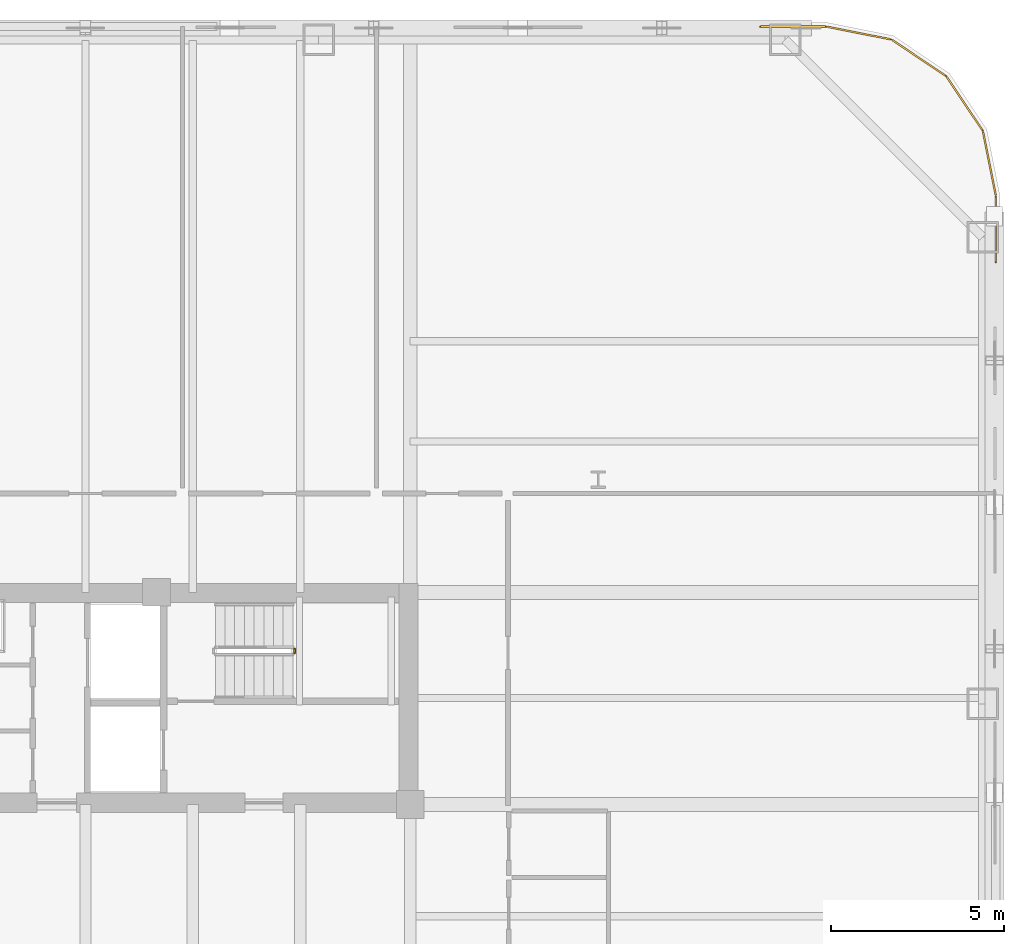
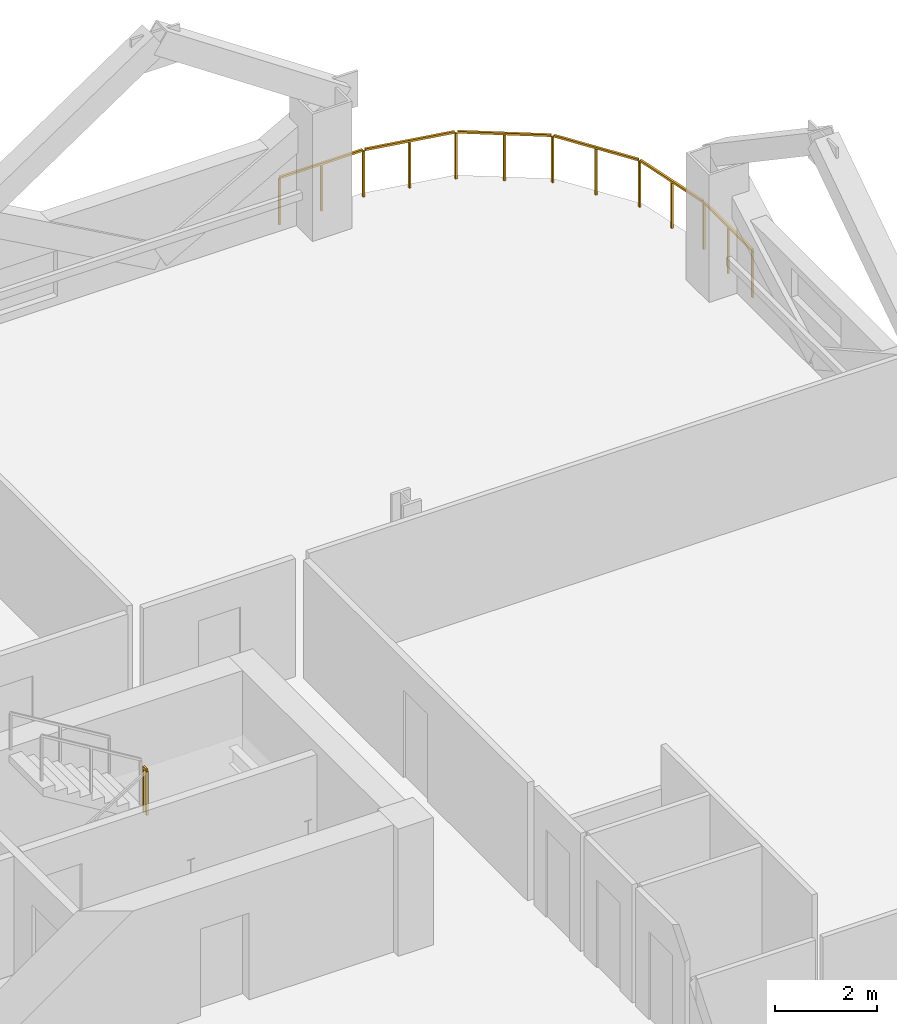
# One storey, part 14 of 14: 2 railings.
"""IFC4 building model written with IfcOpenShell, lengths in metres."""

import ifcopenshell
import ifcopenshell.guid

model = None  # the IFC model being written
_history = None  # IfcOwnerHistory: only IFC2X3 demands one
_inside = {}  # id of a spatial element -> (the spatial element, [elements in it])
_under = {}  # id of a project, library or spatial element -> (it, [spatial elements below it])
_declared = {}  # id of a project -> (the project, [libraries it declares])
_typed = {}  # id of a type object -> (the type object, [elements of that type])
_made_of = {}  # id of a material, layer set ... -> (it, [elements and type objects made of it])


def new_model(schema):
    """Start an empty IFC model of exactly this schema.

    Asked for "IFC4X3", IfcOpenShell would pick the latest addendum, in which some entities
    have other attributes; the version numbers below select the first issue.
    IFC2X3 requires an IfcOwnerHistory on every rooted entity: one is made here for all.
    """
    global model, _history
    if schema == "IFC4X3":
        model = ifcopenshell.file(schema_version=(4, 3, 0, 0))
    else:
        model = ifcopenshell.file(schema=schema)
    _inside.clear()
    _under.clear()
    _declared.clear()
    _typed.clear()
    _made_of.clear()
    _history = None
    if model.schema == "IFC2X3":
        org = make("IfcOrganization", Name="unknown")
        user = make(
            "IfcPersonAndOrganization",
            ThePerson=make("IfcPerson", FamilyName="unknown"),
            TheOrganization=org,
        )
        app = make(
            "IfcApplication",
            ApplicationDeveloper=org,
            Version="unknown",
            ApplicationFullName="unknown",
            ApplicationIdentifier="unknown",
        )
        _history = make(
            "IfcOwnerHistory",
            OwningUser=user,
            OwningApplication=app,
            ChangeAction="ADDED",
            CreationDate=0,
        )
    return model


def make(cls, **values):
    """One entity of the class cls with the attributes given. An attribute that is None is left unset."""
    return model.create_entity(
        cls, **{name: value for name, value in values.items() if value is not None}
    )


def rooted(cls, **values):
    """An entity with a GlobalId (a new one), such as an element, a storey or a relation."""
    return make(cls, GlobalId=ifcopenshell.guid.new(), OwnerHistory=_history, **values)


def si_unit(unit_type, name, prefix=None):
    """IfcSIUnit, for example si_unit("LENGTHUNIT", "METRE", prefix="MILLI")."""
    return make("IfcSIUnit", UnitType=unit_type, Prefix=prefix, Name=name)


def assignment(units):
    """IfcUnitAssignment: the units of a project."""
    return None if units is None else make("IfcUnitAssignment", Units=units)


def point(xyz):
    """IfcCartesianPoint."""
    return None if xyz is None else make("IfcCartesianPoint", Coordinates=xyz)


def direction(xyz):
    """IfcDirection."""
    return None if xyz is None else make("IfcDirection", DirectionRatios=xyz)


def frame(location, z_axis=None, x_axis=None):
    """IfcAxis2Placement3D, a coordinate frame: its origin and axes. An axis left out is left unset."""
    return make(
        "IfcAxis2Placement3D",
        Location=point(location),
        Axis=direction(z_axis),
        RefDirection=direction(x_axis),
    )


def frame_2d(location, x_axis=None):
    """IfcAxis2Placement2D, a coordinate frame in the plane: its origin and x axis."""
    return make(
        "IfcAxis2Placement2D", Location=point(location), RefDirection=direction(x_axis)
    )


def origin():
    """The frame at (0, 0, 0) with its axes left unset."""
    return frame((0.0, 0.0, 0.0))


def origin_2d():
    """The frame at (0, 0) in the plane with its x axis left unset."""
    return frame_2d((0.0, 0.0))


def place(relative_to, where):
    """IfcLocalPlacement: puts the frame where relative to a parent placement (None: the world)."""
    return make(
        "IfcLocalPlacement", PlacementRelTo=relative_to, RelativePlacement=where
    )


def context(
    kind, dimensions, precision=None, world=None, true_north=None, identifier=None
):
    """IfcGeometricRepresentationContext, for example the 3D "Model" context."""
    return make(
        "IfcGeometricRepresentationContext",
        ContextIdentifier=identifier,
        ContextType=kind,
        CoordinateSpaceDimension=dimensions,
        Precision=precision,
        WorldCoordinateSystem=world,
        TrueNorth=true_north,
    )


def subcontext(parent, identifier, kind, view, scale=None):
    """IfcGeometricRepresentationSubContext, for example "Body" below "Model"."""
    return make(
        "IfcGeometricRepresentationSubContext",
        ContextIdentifier=identifier,
        ContextType=kind,
        ParentContext=parent,
        TargetScale=scale,
        TargetView=view,
    )


def project(units=None, contexts=None):
    """IfcProject with its units and contexts."""
    return rooted(
        "IfcProject",
        Name="project",
        RepresentationContexts=contexts,
        UnitsInContext=assignment(units),
    )


def spatial(cls, under=None, at=None, **own):
    """A site, building, storey or space (cls), placed at a placement, below another one or the project."""
    s = rooted(cls, ObjectPlacement=at, **own)
    if under is not None:
        _under.setdefault(under.id(), (under, []))[1].append(s)
    return s


def profile(cls, at=None, kind="AREA", **sizes):
    """A parametric profile (cls). Its sizes go by their IFC names, for example OverallWidth=200.0."""
    return make(cls, ProfileType=kind, Position=at, **sizes)


def rectangle(**sizes):
    """IfcRectangleProfileDef."""
    return profile("IfcRectangleProfileDef", **sizes)


def extrude(swept, where, along, depth):
    """IfcExtrudedAreaSolid: the profile swept, set in the frame where, extruded along a direction by depth."""
    return make(
        "IfcExtrudedAreaSolid",
        SweptArea=swept,
        Position=where,
        ExtrudedDirection=direction(along),
        Depth=depth,
    )


def shape(context_of_items, identifier, shape_type, items):
    """IfcShapeRepresentation: the items that make up one representation, for example the "Body"."""
    return make(
        "IfcShapeRepresentation",
        ContextOfItems=context_of_items,
        RepresentationIdentifier=identifier,
        RepresentationType=shape_type,
        Items=items,
    )


def material(Name=None, Category=None):
    """IfcMaterial."""
    return make("IfcMaterial", Name=Name, Category=Category)


def made_of(thing, what):
    """Note that an element or type object is made of a material, layer set ...; save() writes the relation."""
    if what is not None:
        _made_of.setdefault(what.id(), (what, []))[1].append(thing)
    return thing


def type_object(cls, material=None, **own):
    """A type object (cls), such as IfcWallType, which elements share."""
    return made_of(rooted(cls, **own), material)


def element(
    cls,
    number,
    at=None,
    inside=None,
    cuts=None,
    type_object=None,
    material=None,
    context=None,
    identifier="Body",
    shape_type=None,
    held_by="IfcProductDefinitionShape",
    body=None,
    shapes=None,
    **own,
):
    """One element of the class cls, such as IfcWall. Its Tag is "e" and its number.

    at: its placement. inside: the storey or other place that contains it. cuts: it is an
    opening in that element (IfcRelVoidsElement). A single representation is given by context,
    identifier, shape_type and body (its items); several are given by shapes. held_by: the class
    of the entity that holds the representations. save() writes the other relations.
    """
    e = rooted(cls, Tag="e%d" % number, ObjectPlacement=at, **own)
    if body is not None:
        shapes = [shape(context, identifier, shape_type, body)]
    if shapes is not None:
        e.Representation = make(held_by, Representations=shapes)
    if inside is not None:
        _inside.setdefault(inside.id(), (inside, []))[1].append(e)
    if cuts is not None:
        rooted(
            "IfcRelVoidsElement", RelatingBuildingElement=cuts, RelatedOpeningElement=e
        )
    if type_object is not None:
        _typed.setdefault(type_object.id(), (type_object, []))[1].append(e)
    return made_of(e, material)


def aggregate(whole, parts):
    """IfcRelAggregates: a whole, such as a stair, and the parts it consists of."""
    return rooted("IfcRelAggregates", RelatingObject=whole, RelatedObjects=parts)


def save(model, path):
    """Write the relations noted so far, then the file.

    IfcRelAggregates (storeys below a building ...), IfcRelContainedInSpatialStructure (elements
    in a storey), IfcRelDefinesByType, IfcRelAssociatesMaterial and IfcRelDeclares: one each for
    every whole, place, type object, material and project.
    """
    for whole, parts in _under.values():
        aggregate(whole, parts)
    for where, things in _inside.values():
        rooted(
            "IfcRelContainedInSpatialStructure",
            RelatedElements=things,
            RelatingStructure=where,
        )
    for kind, things in _typed.values():
        rooted("IfcRelDefinesByType", RelatedObjects=things, RelatingType=kind)
    for what, things in _made_of.values():
        rooted("IfcRelAssociatesMaterial", RelatedObjects=things, RelatingMaterial=what)
    for by, libraries in _declared.values():
        rooted("IfcRelDeclares", RelatingContext=by, RelatedDefinitions=libraries)
    model.write(path)


model = new_model("IFC4")

# Units and contexts
model_context = context("Model", 3, precision=1e-05, world=origin(), true_north=direction((0.0, 1.0)))
body_context = subcontext(model_context, "Body", "Model", "MODEL_VIEW")
ifc_project = project(units=[si_unit("LENGTHUNIT", "METRE"), si_unit("AREAUNIT", "SQUARE_METRE"), si_unit("VOLUMEUNIT", "CUBIC_METRE"), si_unit("PLANEANGLEUNIT", "RADIAN"), si_unit("MASSUNIT", "GRAM", prefix="KILO")], contexts=[model_context])

# Site, building, storey
site_placement = place(None, origin())
site = spatial("IfcSite", under=ifc_project, at=site_placement, CompositionType="ELEMENT")
building_placement = place(site_placement, origin())
building = spatial("IfcBuilding", under=site, at=building_placement, Name="Qhalaya Broadcast Tower", CompositionType="ELEMENT")
storey_placement = place(building_placement, frame((0.0, 0.0, 38.300048828125)))
storey = spatial("IfcBuildingStorey", under=building, at=storey_placement, Name="L10", CompositionType="ELEMENT", Elevation=38.300048828125)

# Railings
ifc_material = material(Name="Powder-Coated Galvanised Steel", Category="steel")
railing_type_1 = type_object("IfcRailingType", Name="Stair Well & Landing Guardrail 1100", PredefinedType="GUARDRAIL", material=ifc_material)
railing_1_placement = place(storey_placement, frame((6.0400390625, 8.199951171875, 1.52490234375)))
element("IfcRailing", 1, at=railing_1_placement, inside=storey, type_object=railing_type_1, Name="L10 ST-1 Stair Guard 2", PredefinedType="GUARDRAIL", context=body_context, shape_type="SweptSolid", body=[
    extrude(rectangle(XDim=0.048095703125, YDim=0.048095703125, at=origin_2d()), frame((0.0, 0.0, 1.076171875), z_axis=(0.0, 1.0, 0.0), x_axis=(-1.0, 0.0, 0.0)), (0.0, 0.0, 1.0), 0.1201171875),
    extrude(rectangle(XDim=0.0419921875, YDim=0.0419921875, at=origin_2d()), origin(), (0.0, 0.0, 1.0), 1.050048828125),
    extrude(rectangle(XDim=0.0419921875, YDim=0.0419921875, at=origin_2d()), frame((0.0, 0.1201171875, 0.0)), (0.0, 0.0, 1.0), 1.050048828125),
])
railing_type_2 = type_object("IfcRailingType", Name="Terrace, Sky-Pool & Lookout Glass Balustrade 1150", PredefinedType="BALUSTRADE", material=ifc_material)
railing_2_placement = place(storey_placement, frame((19.48193359375, 26.280029296875, 0.0)))
element("IfcRailing", 2, at=railing_2_placement, inside=storey, type_object=railing_type_2, Name="L10 Rounded Corner Perimeter Guard 04", PredefinedType="BALUSTRADE", context=body_context, shape_type="SweptSolid", body=[
    extrude(rectangle(XDim=0.048095703125, YDim=0.048095703125, at=origin_2d()), frame((0.0, 0.0, 1.1259765625), z_axis=(1.0, 0.0, 0.0), x_axis=(0.0, 1.0, 0.0)), (0.0, 0.0, 1.0), 1.87744140625),
    extrude(rectangle(XDim=0.048095703125, YDim=0.048095703125, at=origin_2d()), frame((1.9345703125, -0.005615234375, 1.1259765625), z_axis=(0.980795810058, -0.195037378397, 0.0), x_axis=(0.195037378397, 0.980795810058, 0.0)), (0.0, 0.0, 1.0), 1.857421875),
    extrude(rectangle(XDim=0.048095703125, YDim=0.048095703125, at=origin_2d()), frame((3.80859375, -0.3896484375, 1.1259765625), z_axis=(0.831477548332, -0.555558355728, 0.0), x_axis=(0.555558355728, 0.831477548332, 0.0)), (0.0, 0.0, 1.0), 1.845458984375),
    extrude(rectangle(XDim=0.048095703125, YDim=0.048095703125, at=origin_2d()), frame((5.38330078125, -1.454833984375, 1.1259765625), z_axis=(0.555558355728, -0.831477548332, 0.0), x_axis=(0.831477548332, 0.555558355728, 0.0)), (0.0, 0.0, 1.0), 1.845458984375),
    extrude(rectangle(XDim=0.048095703125, YDim=0.048095703125, at=origin_2d()), frame((6.43017578125, -3.041748046875, 1.1259765625), z_axis=(0.195037378397, -0.980795810058, 0.0), x_axis=(0.980795810058, 0.195037378397, 0.0)), (0.0, 0.0, 1.0), 1.857421875),
    extrude(rectangle(XDim=0.048095703125, YDim=0.048095703125, at=origin_2d()), frame((6.798095703125, -4.920654296875, 1.1259765625), z_axis=(0.0, -1.0, 0.0), x_axis=(1.0, 0.0, 0.0)), (0.0, 0.0, 1.0), 1.87744140625),
    extrude(rectangle(XDim=0.0419921875, YDim=0.0419921875, at=origin_2d()), origin(), (0.0, 0.0, 1.0), 1.099853515625),
    extrude(rectangle(XDim=0.0419921875, YDim=0.0419921875, at=origin_2d()), frame((0.953125, 0.0, 0.0)), (0.0, 0.0, 1.0), 1.099853515625),
    extrude(rectangle(XDim=0.0419921875, YDim=0.0419921875, at=origin_2d()), frame((1.90625, 0.0, 0.0)), (0.0, 0.0, 1.0), 1.099853515625),
    extrude(rectangle(XDim=0.0419921875, YDim=0.0419921875, at=origin_2d()), frame((2.845458984375, -0.186767578125, 0.0)), (0.0, 0.0, 1.0), 1.099853515625),
    extrude(rectangle(XDim=0.0419921875, YDim=0.0419921875, at=origin_2d()), frame((3.78466796875, -0.37353515625, 0.0)), (0.0, 0.0, 1.0), 1.099853515625),
    extrude(rectangle(XDim=0.0419921875, YDim=0.0419921875, at=origin_2d()), frame((4.575927734375, -0.90234375, 0.0)), (0.0, 0.0, 1.0), 1.099853515625),
    extrude(rectangle(XDim=0.0419921875, YDim=0.0419921875, at=origin_2d()), frame((5.3671875, -1.430908203125, 0.0)), (0.0, 0.0, 1.0), 1.099853515625),
    extrude(rectangle(XDim=0.0419921875, YDim=0.0419921875, at=origin_2d()), frame((5.89599609375, -2.22216796875, 0.0)), (0.0, 0.0, 1.0), 1.099853515625),
    extrude(rectangle(XDim=0.0419921875, YDim=0.0419921875, at=origin_2d()), frame((6.424560546875, -3.013427734375, 0.0)), (0.0, 0.0, 1.0), 1.099853515625),
    extrude(rectangle(XDim=0.0419921875, YDim=0.0419921875, at=origin_2d()), frame((6.611328125, -3.95263671875, 0.0)), (0.0, 0.0, 1.0), 1.099853515625),
    extrude(rectangle(XDim=0.0419921875, YDim=0.0419921875, at=origin_2d()), frame((6.798095703125, -4.891845703125, 0.0)), (0.0, 0.0, 1.0), 1.099853515625),
    extrude(rectangle(XDim=0.0419921875, YDim=0.0419921875, at=origin_2d()), frame((6.798095703125, -5.844970703125, 0.0)), (0.0, 0.0, 1.0), 1.099853515625),
    extrude(rectangle(XDim=0.0419921875, YDim=0.0419921875, at=origin_2d()), frame((6.798095703125, -6.798095703125, 0.0)), (0.0, 0.0, 1.0), 1.099853515625),
])

save(model, "model.ifc")
